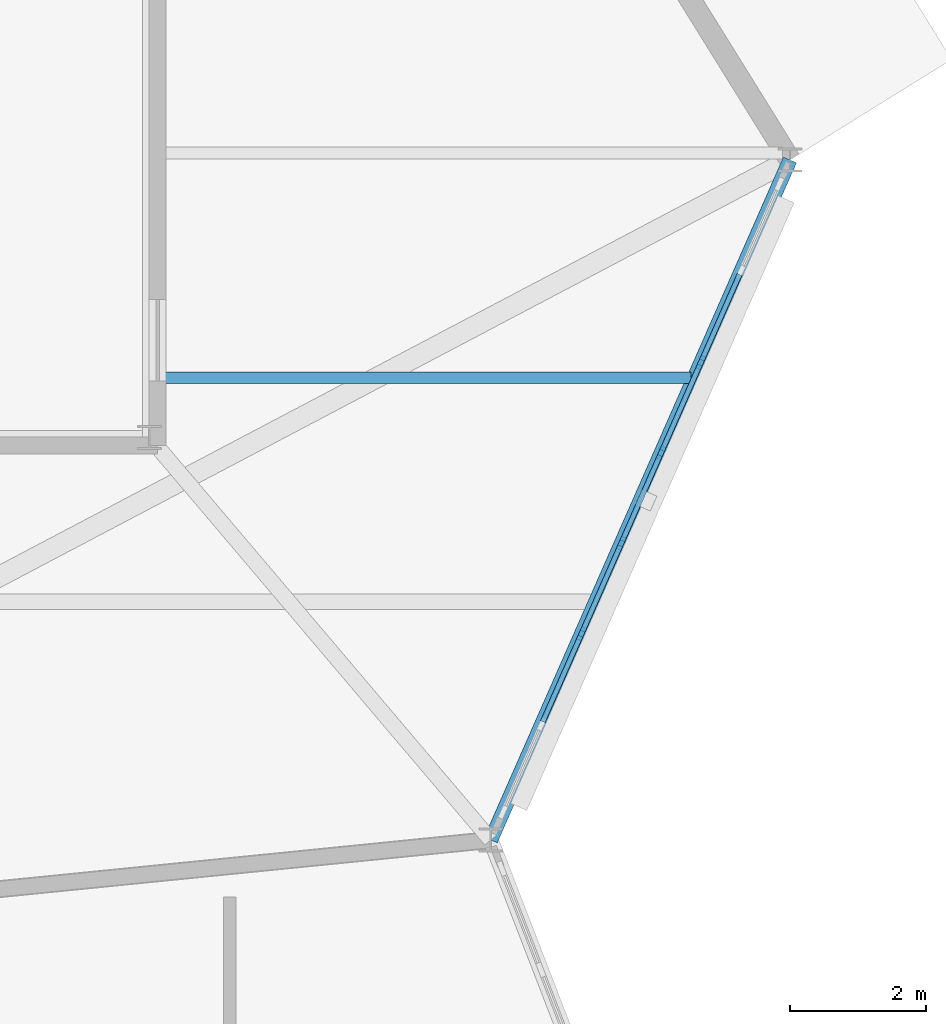
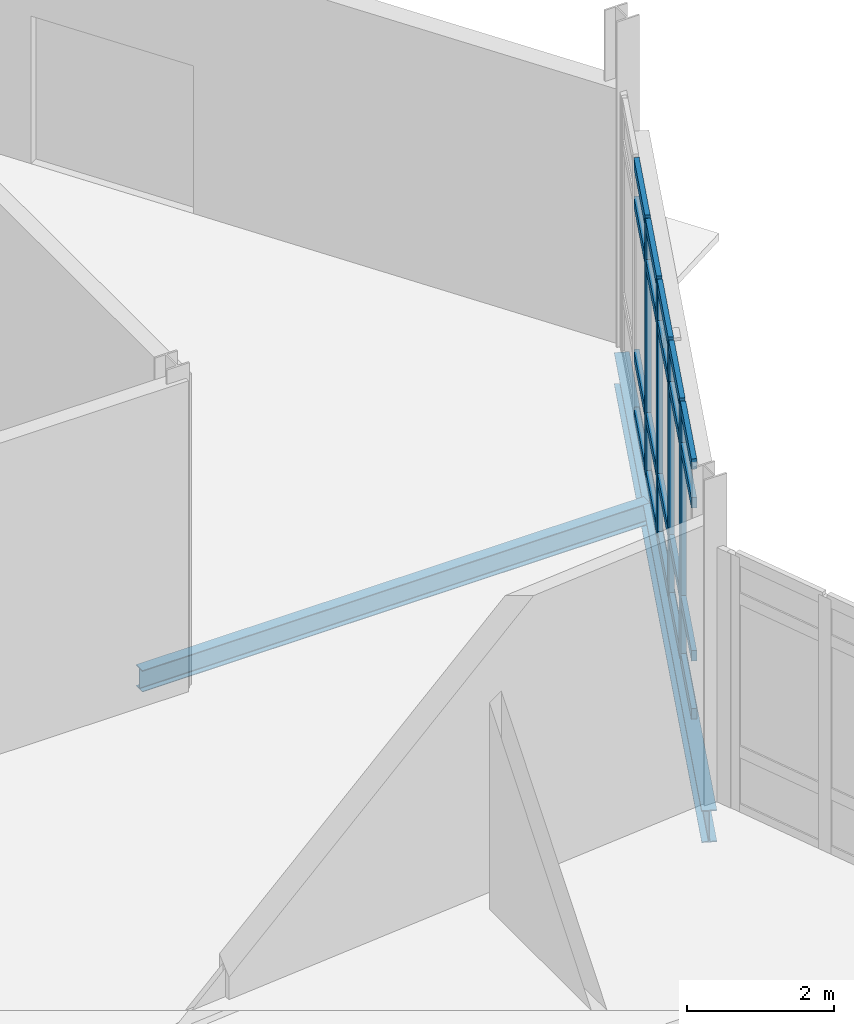
# One storey, part 58 of 113: 24 members, 2 beams, 1 element without a shape of its own.
"""IFC4 building model written with IfcOpenShell, lengths in metres."""

from ifc_helpers import new_model, si_unit, direction, frame, origin, origin_2d, place, context, subcontext, project, spatial, rectangle, i_section, extrude, material, material_profile, profile_set, type_object, element, aggregate, save


model = new_model("IFC4")

# Units and contexts
model_context = context("Model", 3, precision=1e-05, world=origin(), true_north=direction((0.0, 1.0)))
body_context = subcontext(model_context, "Body", "Model", "MODEL_VIEW")
ifc_project = project(units=[si_unit("LENGTHUNIT", "METRE"), si_unit("AREAUNIT", "SQUARE_METRE"), si_unit("VOLUMEUNIT", "CUBIC_METRE"), si_unit("PLANEANGLEUNIT", "RADIAN"), si_unit("MASSUNIT", "GRAM", prefix="KILO")], contexts=[model_context])

# Site, building, storey
site_placement = place(None, origin())
site = spatial("IfcSite", under=ifc_project, at=site_placement, CompositionType="ELEMENT")
building_placement = place(site_placement, origin())
building = spatial("IfcBuilding", under=site, at=building_placement, Name="Tameran Prism Museum", CompositionType="ELEMENT")
storey_placement = place(building_placement, origin())
storey = spatial("IfcBuildingStorey", under=building, at=storey_placement, Name="L00", CompositionType="ELEMENT", Elevation=0.0)

# Beams
ifc_material_1 = material(Name="Steel Grade 300PLUS (300 MPa)", Category="steel")
ifc_material_profile_1 = material_profile(ifc_material_1, i_section(OverallWidth=0.1708984375, OverallDepth=0.35595703125, WebThickness=0.00732421875, FlangeThickness=0.011474609375, FilletRadius=0.011474609375, at=origin_2d()))
ifc_profile_set_1 = profile_set([ifc_material_profile_1])
beam_type_1 = type_object("IfcBeamType", Name="BM-J360B", PredefinedType="JOIST", material=ifc_profile_set_1)
beam_1_placement = place(storey_placement, frame((156.97998046875, 30.800048828125, -0.41796875), z_axis=(1.0, 0.0, 0.0), x_axis=(0.0, 1.0, 0.0)))
element("IfcBeam", 1, at=beam_1_placement, inside=storey, type_object=beam_type_1, Name="Floor Beam BM-0319", PredefinedType="JOIST", context=body_context, shape_type="SweptSolid", body=[
    extrude(i_section(OverallWidth=0.1708984375, OverallDepth=0.35595703125, WebThickness=0.00732421875, FlangeThickness=0.011474609375, FilletRadius=0.011474609375, at=origin_2d()), origin(), (0.0, 0.0, 1.0), 7.968017578125),
])
ifc_material_2 = material(Name="Steel Grade 300PLUS (300 MPa)", Category="steel")
ifc_material_profile_2 = material_profile(ifc_material_2, i_section(OverallWidth=0.208984375, OverallDepth=0.532958984375, WebThickness=0.01025390625, FlangeThickness=0.015625, FilletRadius=0.013916015625, at=origin_2d()))
ifc_profile_set_2 = profile_set([ifc_material_profile_2])
beam_type_2 = type_object("IfcBeamType", Name="BM-SP530A", PredefinedType="SPANDREL", material=ifc_profile_set_2)
beam_2_placement = place(storey_placement, frame((162.0, 24.0, -0.506591796875), z_axis=(0.402731125433, 0.915318327473, 0.0), x_axis=(-0.915318327473, 0.402731125433, 0.0)))
element("IfcBeam", 2, at=beam_2_placement, inside=storey, type_object=beam_type_2, Name="Perimeter Spandrel SP-0095", PredefinedType="SPANDREL", context=body_context, shape_type="SweptSolid", body=[
    extrude(i_section(OverallWidth=0.208984375, OverallDepth=0.532958984375, WebThickness=0.01025390625, FlangeThickness=0.015625, FilletRadius=0.013916015625, at=origin_2d()), origin(), (0.0, 0.0, 1.0), 10.925048828125),
])

# Curtain wall, members
ifc_material_3 = material(Name="Anodised Aluminium 6063-T6 and Cyclone Solar Glass", Category="aluminium")
curtain_wall_type = type_object("IfcCurtainWallType", Name="CW-FAC-1016x422", PredefinedType="USERDEFINED", material=ifc_material_3)
curtain_wall_placement = place(storey_placement, origin())
curtain_wall = element("IfcCurtainWall", 3, at=curtain_wall_placement, inside=storey, type_object=curtain_wall_type, Name="Unitised Curtain Wall CW-053", ObjectType="UNITISED CURTAIN WALL", PredefinedType="USERDEFINED")
ifc_material_4 = material(Name="Anodised Aluminium Alloy 6063-T6", Category="aluminium")
ifc_material_profile_3 = material_profile(ifc_material_4, rectangle(XDim=0.074951171875, YDim=0.199951171875, at=origin_2d()))
ifc_profile_set_3 = profile_set([ifc_material_profile_3])
member_type_1 = type_object("IfcMemberType", Name="CW-MUL-C", PredefinedType="MULLION", material=ifc_profile_set_3)
member_1_placement = place(storey_placement, frame((165.08935546875, 31.021484375, 0.0), z_axis=(0.0, 0.0, 1.0), x_axis=(0.915322284668, -0.402722131488, 0.0)))
member_1 = element("IfcMember", 4, at=member_1_placement, type_object=member_type_1, Name="CW-053 mullion 3", PredefinedType="MULLION", context=body_context, shape_type="SweptSolid", body=[
    extrude(rectangle(XDim=0.074951171875, YDim=0.199951171875, at=origin_2d()), origin(), (0.0, 0.0, 1.0), 4.219970703125),
])
member_2_placement = place(storey_placement, frame((164.50439453125, 29.692138671875, 0.0), z_axis=(0.0, 0.0, 1.0), x_axis=(0.915322284668, -0.402722131488, 0.0)))
member_2 = element("IfcMember", 5, at=member_2_placement, type_object=member_type_1, Name="CW-053 mullion 4", PredefinedType="MULLION", context=body_context, shape_type="SweptSolid", body=[
    extrude(rectangle(XDim=0.074951171875, YDim=0.199951171875, at=origin_2d()), origin(), (0.0, 0.0, 1.0), 4.219970703125),
])
member_3_placement = place(storey_placement, frame((163.919677734375, 28.36279296875, 0.0), z_axis=(0.0, 0.0, 1.0), x_axis=(0.915322284668, -0.402722131488, 0.0)))
member_3 = element("IfcMember", 6, at=member_3_placement, type_object=member_type_1, Name="CW-053 mullion 5", PredefinedType="MULLION", context=body_context, shape_type="SweptSolid", body=[
    extrude(rectangle(XDim=0.074951171875, YDim=0.199951171875, at=origin_2d()), origin(), (0.0, 0.0, 1.0), 4.219970703125),
])
member_4_placement = place(storey_placement, frame((163.334716796875, 27.03369140625, 0.0), z_axis=(0.0, 0.0, 1.0), x_axis=(0.915322284668, -0.402722131488, 0.0)))
member_4 = element("IfcMember", 7, at=member_4_placement, type_object=member_type_1, Name="CW-053 mullion 6", PredefinedType="MULLION", context=body_context, shape_type="SweptSolid", body=[
    extrude(rectangle(XDim=0.074951171875, YDim=0.199951171875, at=origin_2d()), origin(), (0.0, 0.0, 1.0), 4.219970703125),
])
ifc_material_5 = material(Name="Anodised Aluminium Alloy 6063-T6", Category="aluminium")
ifc_material_profile_4 = material_profile(ifc_material_5, rectangle(XDim=0.074951171875, YDim=0.175048828125, at=origin_2d()))
ifc_profile_set_4 = profile_set([ifc_material_profile_4])
member_type_2 = type_object("IfcMemberType", Name="CW-TRN-C", PredefinedType="USERDEFINED", material=ifc_profile_set_4)
member_5_placement = place(storey_placement, frame((165.658935546875, 32.31640625, 0.03759765625), z_axis=(-0.402566333228, -0.915390816729, 0.0), x_axis=(0.915390816729, -0.402566333228, 0.0)))
member_5 = element("IfcMember", 8, at=member_5_placement, type_object=member_type_2, Name="CW-053 transom 2.1", ObjectType="TRANSOM", PredefinedType="USERDEFINED", context=body_context, shape_type="SweptSolid", body=[
    extrude(rectangle(XDim=0.074951171875, YDim=0.175048828125, at=origin_2d()), origin(), (0.0, 0.0, 1.0), 1.377197265625),
])
member_6_placement = place(storey_placement, frame((165.658935546875, 32.31640625, 1.0), z_axis=(-0.402566333228, -0.915390816729, 0.0), x_axis=(0.915390816729, -0.402566333228, 0.0)))
member_6 = element("IfcMember", 9, at=member_6_placement, type_object=member_type_2, Name="CW-053 transom 2.2", ObjectType="TRANSOM", PredefinedType="USERDEFINED", context=body_context, shape_type="SweptSolid", body=[
    extrude(rectangle(XDim=0.074951171875, YDim=0.175048828125, at=origin_2d()), origin(), (0.0, 0.0, 1.0), 1.377197265625),
])
member_7_placement = place(storey_placement, frame((165.658935546875, 32.31640625, 3.5400390625), z_axis=(-0.402566333228, -0.915390816729, 0.0), x_axis=(0.915390816729, -0.402566333228, 0.0)))
member_7 = element("IfcMember", 10, at=member_7_placement, type_object=member_type_2, Name="CW-053 transom 2.3", ObjectType="TRANSOM", PredefinedType="USERDEFINED", context=body_context, shape_type="SweptSolid", body=[
    extrude(rectangle(XDim=0.074951171875, YDim=0.175048828125, at=origin_2d()), origin(), (0.0, 0.0, 1.0), 1.377197265625),
])
member_8_placement = place(storey_placement, frame((165.658935546875, 32.31640625, 4.1826171875), z_axis=(-0.402566333228, -0.915390816729, 0.0), x_axis=(0.915390816729, -0.402566333228, 0.0)))
member_8 = element("IfcMember", 11, at=member_8_placement, type_object=member_type_2, Name="CW-053 transom 2.4", ObjectType="TRANSOM", PredefinedType="USERDEFINED", context=body_context, shape_type="SweptSolid", body=[
    extrude(rectangle(XDim=0.074951171875, YDim=0.175048828125, at=origin_2d()), origin(), (0.0, 0.0, 1.0), 1.377197265625),
])
member_9_placement = place(storey_placement, frame((165.07421875, 30.987060546875, 0.03759765625), z_axis=(-0.402780200986, -0.915296733138, 0.0), x_axis=(0.915296733138, -0.402780200986, 0.0)))
member_9 = element("IfcMember", 12, at=member_9_placement, type_object=member_type_2, Name="CW-053 transom 3.1", ObjectType="TRANSOM", PredefinedType="USERDEFINED", context=body_context, shape_type="SweptSolid", body=[
    extrude(rectangle(XDim=0.074951171875, YDim=0.175048828125, at=origin_2d()), origin(), (0.0, 0.0, 1.0), 1.377197265625),
])
member_10_placement = place(storey_placement, frame((165.07421875, 30.987060546875, 1.0), z_axis=(-0.402780200986, -0.915296733138, 0.0), x_axis=(0.915296733138, -0.402780200986, 0.0)))
member_10 = element("IfcMember", 13, at=member_10_placement, type_object=member_type_2, Name="CW-053 transom 3.2", ObjectType="TRANSOM", PredefinedType="USERDEFINED", context=body_context, shape_type="SweptSolid", body=[
    extrude(rectangle(XDim=0.074951171875, YDim=0.175048828125, at=origin_2d()), origin(), (0.0, 0.0, 1.0), 1.377197265625),
])
member_11_placement = place(storey_placement, frame((165.07421875, 30.987060546875, 3.5400390625), z_axis=(-0.402780200986, -0.915296733138, 0.0), x_axis=(0.915296733138, -0.402780200986, 0.0)))
member_11 = element("IfcMember", 14, at=member_11_placement, type_object=member_type_2, Name="CW-053 transom 3.3", ObjectType="TRANSOM", PredefinedType="USERDEFINED", context=body_context, shape_type="SweptSolid", body=[
    extrude(rectangle(XDim=0.074951171875, YDim=0.175048828125, at=origin_2d()), origin(), (0.0, 0.0, 1.0), 1.377197265625),
])
member_12_placement = place(storey_placement, frame((165.07421875, 30.987060546875, 4.1826171875), z_axis=(-0.402780200986, -0.915296733138, 0.0), x_axis=(0.915296733138, -0.402780200986, 0.0)))
member_12 = element("IfcMember", 15, at=member_12_placement, type_object=member_type_2, Name="CW-053 transom 3.4", ObjectType="TRANSOM", PredefinedType="USERDEFINED", context=body_context, shape_type="SweptSolid", body=[
    extrude(rectangle(XDim=0.074951171875, YDim=0.175048828125, at=origin_2d()), origin(), (0.0, 0.0, 1.0), 1.377197265625),
])
member_13_placement = place(storey_placement, frame((164.4892578125, 29.65771484375, 0.03759765625), z_axis=(-0.402780200986, -0.915296733138, 0.0), x_axis=(0.915296733138, -0.402780200986, 0.0)))
member_13 = element("IfcMember", 16, at=member_13_placement, type_object=member_type_2, Name="CW-053 transom 4.1", ObjectType="TRANSOM", PredefinedType="USERDEFINED", context=body_context, shape_type="SweptSolid", body=[
    extrude(rectangle(XDim=0.074951171875, YDim=0.175048828125, at=origin_2d()), origin(), (0.0, 0.0, 1.0), 1.377197265625),
])
member_14_placement = place(storey_placement, frame((164.4892578125, 29.65771484375, 1.0), z_axis=(-0.402780200986, -0.915296733138, 0.0), x_axis=(0.915296733138, -0.402780200986, 0.0)))
member_14 = element("IfcMember", 17, at=member_14_placement, type_object=member_type_2, Name="CW-053 transom 4.2", ObjectType="TRANSOM", PredefinedType="USERDEFINED", context=body_context, shape_type="SweptSolid", body=[
    extrude(rectangle(XDim=0.074951171875, YDim=0.175048828125, at=origin_2d()), origin(), (0.0, 0.0, 1.0), 1.377197265625),
])
member_15_placement = place(storey_placement, frame((164.4892578125, 29.65771484375, 3.5400390625), z_axis=(-0.402780200986, -0.915296733138, 0.0), x_axis=(0.915296733138, -0.402780200986, 0.0)))
member_15 = element("IfcMember", 18, at=member_15_placement, type_object=member_type_2, Name="CW-053 transom 4.3", ObjectType="TRANSOM", PredefinedType="USERDEFINED", context=body_context, shape_type="SweptSolid", body=[
    extrude(rectangle(XDim=0.074951171875, YDim=0.175048828125, at=origin_2d()), origin(), (0.0, 0.0, 1.0), 1.377197265625),
])
member_16_placement = place(storey_placement, frame((164.4892578125, 29.65771484375, 4.1826171875), z_axis=(-0.402780200986, -0.915296733138, 0.0), x_axis=(0.915296733138, -0.402780200986, 0.0)))
member_16 = element("IfcMember", 19, at=member_16_placement, type_object=member_type_2, Name="CW-053 transom 4.4", ObjectType="TRANSOM", PredefinedType="USERDEFINED", context=body_context, shape_type="SweptSolid", body=[
    extrude(rectangle(XDim=0.074951171875, YDim=0.175048828125, at=origin_2d()), origin(), (0.0, 0.0, 1.0), 1.377197265625),
])
member_17_placement = place(storey_placement, frame((163.904541015625, 28.32861328125, 0.03759765625), z_axis=(-0.402714853908, -0.915325486612, 0.0), x_axis=(0.915325486612, -0.402714853908, 0.0)))
member_17 = element("IfcMember", 20, at=member_17_placement, type_object=member_type_2, Name="CW-053 transom 5.1", ObjectType="TRANSOM", PredefinedType="USERDEFINED", context=body_context, shape_type="SweptSolid", body=[
    extrude(rectangle(XDim=0.074951171875, YDim=0.175048828125, at=origin_2d()), origin(), (0.0, 0.0, 1.0), 1.37744140625),
])
member_18_placement = place(storey_placement, frame((163.904541015625, 28.32861328125, 1.0), z_axis=(-0.402714853908, -0.915325486612, 0.0), x_axis=(0.915325486612, -0.402714853908, 0.0)))
member_18 = element("IfcMember", 21, at=member_18_placement, type_object=member_type_2, Name="CW-053 transom 5.2", ObjectType="TRANSOM", PredefinedType="USERDEFINED", context=body_context, shape_type="SweptSolid", body=[
    extrude(rectangle(XDim=0.074951171875, YDim=0.175048828125, at=origin_2d()), origin(), (0.0, 0.0, 1.0), 1.37744140625),
])
member_19_placement = place(storey_placement, frame((163.904541015625, 28.32861328125, 3.5400390625), z_axis=(-0.402714853908, -0.915325486612, 0.0), x_axis=(0.915325486612, -0.402714853908, 0.0)))
member_19 = element("IfcMember", 22, at=member_19_placement, type_object=member_type_2, Name="CW-053 transom 5.3", ObjectType="TRANSOM", PredefinedType="USERDEFINED", context=body_context, shape_type="SweptSolid", body=[
    extrude(rectangle(XDim=0.074951171875, YDim=0.175048828125, at=origin_2d()), origin(), (0.0, 0.0, 1.0), 1.37744140625),
])
member_20_placement = place(storey_placement, frame((163.904541015625, 28.32861328125, 4.1826171875), z_axis=(-0.402714853908, -0.915325486612, 0.0), x_axis=(0.915325486612, -0.402714853908, 0.0)))
member_20 = element("IfcMember", 23, at=member_20_placement, type_object=member_type_2, Name="CW-053 transom 5.4", ObjectType="TRANSOM", PredefinedType="USERDEFINED", context=body_context, shape_type="SweptSolid", body=[
    extrude(rectangle(XDim=0.074951171875, YDim=0.175048828125, at=origin_2d()), origin(), (0.0, 0.0, 1.0), 1.37744140625),
])
member_21_placement = place(storey_placement, frame((163.319580078125, 26.999267578125, 0.03759765625), z_axis=(-0.402714853908, -0.915325486612, 0.0), x_axis=(0.915325486612, -0.402714853908, 0.0)))
member_21 = element("IfcMember", 24, at=member_21_placement, type_object=member_type_2, Name="CW-053 transom 6.1", ObjectType="TRANSOM", PredefinedType="USERDEFINED", context=body_context, shape_type="SweptSolid", body=[
    extrude(rectangle(XDim=0.074951171875, YDim=0.175048828125, at=origin_2d()), origin(), (0.0, 0.0, 1.0), 1.37744140625),
])
member_22_placement = place(storey_placement, frame((163.319580078125, 26.999267578125, 1.0), z_axis=(-0.402714853908, -0.915325486612, 0.0), x_axis=(0.915325486612, -0.402714853908, 0.0)))
member_22 = element("IfcMember", 25, at=member_22_placement, type_object=member_type_2, Name="CW-053 transom 6.2", ObjectType="TRANSOM", PredefinedType="USERDEFINED", context=body_context, shape_type="SweptSolid", body=[
    extrude(rectangle(XDim=0.074951171875, YDim=0.175048828125, at=origin_2d()), origin(), (0.0, 0.0, 1.0), 1.37744140625),
])
member_23_placement = place(storey_placement, frame((163.319580078125, 26.999267578125, 3.5400390625), z_axis=(-0.402714853908, -0.915325486612, 0.0), x_axis=(0.915325486612, -0.402714853908, 0.0)))
member_23 = element("IfcMember", 26, at=member_23_placement, type_object=member_type_2, Name="CW-053 transom 6.3", ObjectType="TRANSOM", PredefinedType="USERDEFINED", context=body_context, shape_type="SweptSolid", body=[
    extrude(rectangle(XDim=0.074951171875, YDim=0.175048828125, at=origin_2d()), origin(), (0.0, 0.0, 1.0), 1.37744140625),
])
member_24_placement = place(storey_placement, frame((163.319580078125, 26.999267578125, 4.1826171875), z_axis=(-0.402714853908, -0.915325486612, 0.0), x_axis=(0.915325486612, -0.402714853908, 0.0)))
member_24 = element("IfcMember", 27, at=member_24_placement, type_object=member_type_2, Name="CW-053 transom 6.4", ObjectType="TRANSOM", PredefinedType="USERDEFINED", context=body_context, shape_type="SweptSolid", body=[
    extrude(rectangle(XDim=0.074951171875, YDim=0.175048828125, at=origin_2d()), origin(), (0.0, 0.0, 1.0), 1.37744140625),
])
aggregate(curtain_wall, [member_1, member_2, member_3, member_4, member_5, member_6, member_7, member_8, member_9, member_10, member_11, member_12, member_13, member_14, member_15, member_16, member_17, member_18, member_19, member_20, member_21, member_22, member_23, member_24])

save(model, "model.ifc")
